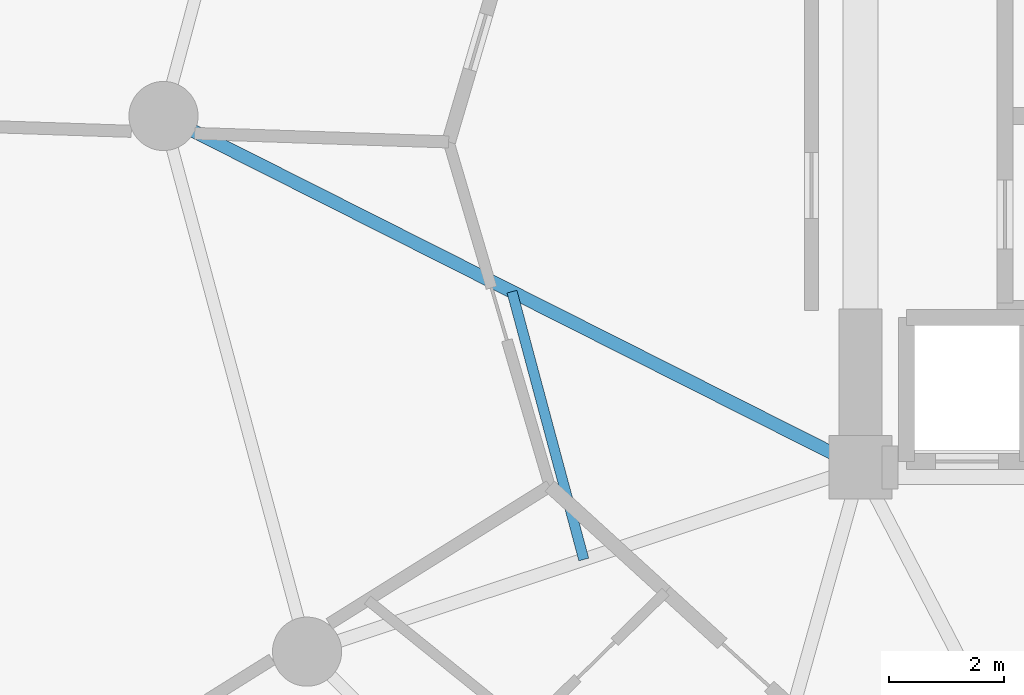
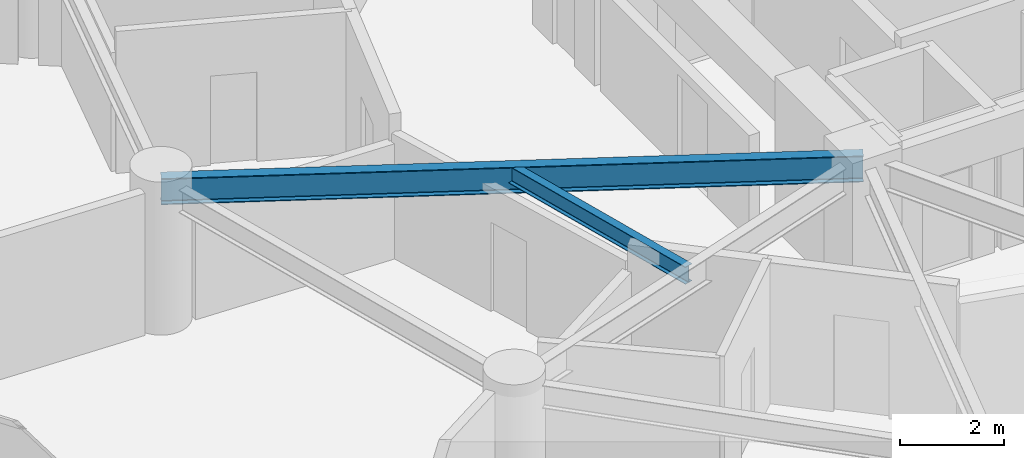
# One storey, part 7 of 26: 2 beams.
"""IFC4 building model written with IfcOpenShell, lengths in metres."""

from ifc_helpers import new_model, si_unit, direction, frame, origin, origin_2d, place, context, subcontext, project, spatial, i_section, extrude, material, material_profile, profile_set, type_object, element, save


model = new_model("IFC4")

# Units and contexts
model_context = context("Model", 3, precision=1e-05, world=origin(), true_north=direction((0.0, 1.0)))
body_context = subcontext(model_context, "Body", "Model", "MODEL_VIEW")
ifc_project = project(units=[si_unit("LENGTHUNIT", "METRE"), si_unit("AREAUNIT", "SQUARE_METRE"), si_unit("VOLUMEUNIT", "CUBIC_METRE"), si_unit("PLANEANGLEUNIT", "RADIAN"), si_unit("MASSUNIT", "GRAM", prefix="KILO")], contexts=[model_context])

# Site, building, storey
site_placement = place(None, origin())
site = spatial("IfcSite", under=ifc_project, at=site_placement, CompositionType="ELEMENT")
building_placement = place(site_placement, origin())
building = spatial("IfcBuilding", under=site, at=building_placement, Name="Solvirekh Grand Hotel", CompositionType="ELEMENT")
storey_placement = place(building_placement, frame((0.0, 0.0, 71.60009765625)))
storey = spatial("IfcBuildingStorey", under=building, at=storey_placement, Name="L17", CompositionType="ELEMENT", Elevation=71.60009765625)

# Beams
ifc_material = material(Name="Steel S355", Category="steel")
ifc_material_profile_1 = material_profile(ifc_material, i_section(OverallWidth=0.22802734375, OverallDepth=0.616943359375, WebThickness=0.012939453125, FlangeThickness=0.02001953125, FilletRadius=0.014892578125, at=origin_2d()), Name="W610X140")
ifc_profile_set_1 = profile_set([ifc_material_profile_1], Name="Steel S355")
beam_type_1 = type_object("IfcBeamType", Name="Beam_Radial_W610", PredefinedType="BEAM", material=ifc_profile_set_1)
beam_1_placement = place(storey_placement, frame((-6.5, -6.10009765625, 3.031982421875), z_axis=(-0.892944939011, 0.450165898191, 0.0), x_axis=(-0.450165898191, -0.892944939011, 0.0)))
element("IfcBeam", 1, at=beam_1_placement, inside=storey, type_object=beam_type_1, Name="L17 radial floor beam R07", PredefinedType="BEAM", context=body_context, shape_type="SweptSolid", body=[
    extrude(i_section(OverallWidth=0.22802734375, OverallDepth=0.616943359375, WebThickness=0.012939453125, FlangeThickness=0.02001953125, FilletRadius=0.014892578125, at=origin_2d()), origin(), (0.0, 0.0, 1.0), 13.55078125),
])
ifc_material_profile_2 = material_profile(ifc_material, i_section(OverallWidth=0.177978515625, OverallDepth=0.406982421875, WebThickness=0.008056640625, FlangeThickness=0.011962890625, FilletRadius=0.011962890625, at=origin_2d()), Name="W410X60")
ifc_profile_set_2 = profile_set([ifc_material_profile_2], Name="Steel S355")
beam_type_2 = type_object("IfcBeamType", Name="Joist_Floor_W410", PredefinedType="JOIST", material=ifc_profile_set_2)
beam_2_placement = place(storey_placement, frame((-12.550048828125, -3.050048828125, 3.135986328125), z_axis=(0.258849313227, -0.965917715461, 0.0), x_axis=(0.965917715461, 0.258849313227, 0.0)))
element("IfcBeam", 2, at=beam_2_placement, inside=storey, type_object=beam_type_2, Name="L17 secondary composite floor joist 7", PredefinedType="JOIST", context=body_context, shape_type="SweptSolid", body=[
    extrude(i_section(OverallWidth=0.177978515625, OverallDepth=0.406982421875, WebThickness=0.008056640625, FlangeThickness=0.011962890625, FilletRadius=0.011962890625, at=origin_2d()), origin(), (0.0, 0.0, 1.0), 4.81396484375),
])

save(model, "model.ifc")
